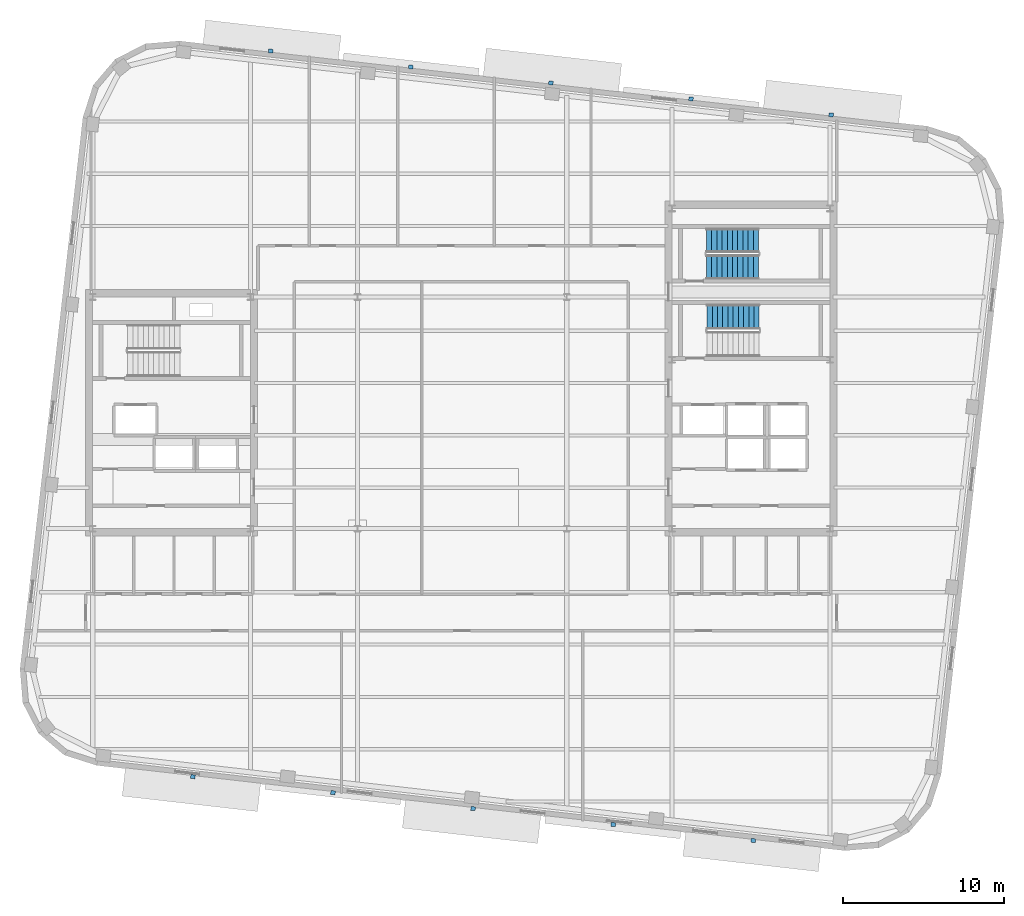
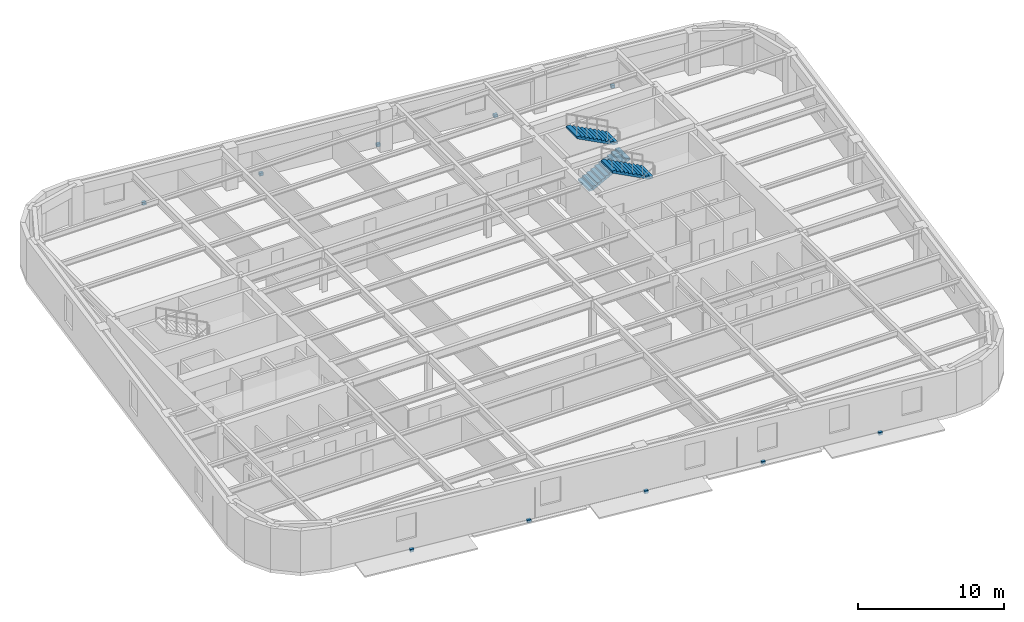
# One storey, part 9 of 13: 10 discrete accessories, 3 stair flights, 2 elements without a shape of their own.
"""IFC4 building model written with IfcOpenShell, lengths in metres."""

from ifc_helpers import new_model, si_unit, direction, frame, origin, origin_2d, place, context, subcontext, project, spatial, polyline, rectangle, outline, extrude, material, type_object, element, aggregate, save


model = new_model("IFC4")

# Units and contexts
model_context = context("Model", 3, precision=1e-05, world=origin(), true_north=direction((0.0, 1.0)))
body_context = subcontext(model_context, "Body", "Model", "MODEL_VIEW")
ifc_project = project(units=[si_unit("LENGTHUNIT", "METRE"), si_unit("AREAUNIT", "SQUARE_METRE"), si_unit("VOLUMEUNIT", "CUBIC_METRE"), si_unit("PLANEANGLEUNIT", "RADIAN"), si_unit("MASSUNIT", "GRAM", prefix="KILO")], contexts=[model_context])

# Site, building, storey
site_placement = place(None, origin())
site = spatial("IfcSite", under=ifc_project, at=site_placement, CompositionType="ELEMENT")
building_placement = place(site_placement, origin())
building = spatial("IfcBuilding", under=site, at=building_placement, Name="Kolvaren Arena Tower", CompositionType="ELEMENT")
storey_placement = place(building_placement, frame((0.0, 0.0, 254.699951171875)))
storey = spatial("IfcBuildingStorey", under=building, at=storey_placement, Name="L62", CompositionType="ELEMENT", Elevation=254.699951171875)

# Stair, stair flights
ifc_material_1 = material(Name="Concrete 45 MPa", Category="concrete")
stair_type_1 = type_object("IfcStairType", Name="STAIR-CORE-150", PredefinedType="HALF_TURN_STAIR", material=ifc_material_1)
stair_1_placement = place(storey_placement, origin())
stair_1 = element("IfcStair", 1, at=stair_1_placement, inside=storey, type_object=stair_type_1, Name="L62 ST-E2", PredefinedType="HALF_TURN_STAIR")
stair_flight_type_1 = type_object("IfcStairFlightType", Name="FLT-150", PredefinedType="STRAIGHT", material=ifc_material_1)
stair_flight_1_placement = place(storey_placement, frame((52.679931640625, 35.699951171875, 0.0), z_axis=(0.0, 0.0, 1.0), x_axis=(1.0, 0.0, 0.0)))
stair_flight_1 = element("IfcStairFlight", 2, at=stair_flight_1_placement, type_object=stair_flight_type_1, Name="ST-E2 flight 1", NumberOfRisers=11, NumberOfTreads=10, PredefinedType="STRAIGHT", RiserHeight=0.170454545, TreadLength=0.324, context=body_context, shape_type="SweptSolid", body=[
    extrude(outline(polyline([(0.0, 0.0), (0.0, 0.17041015625), (0.323974609375, 0.17041015625), (0.323974609375, 0.3408203125), (0.64794921875, 0.3408203125), (0.64794921875, 0.511474609375), (0.971923828125, 0.511474609375), (0.971923828125, 0.681884765625), (1.2958984375, 0.681884765625), (1.2958984375, 0.852294921875), (1.6201171875, 0.852294921875), (1.6201171875, 1.022705078125), (1.944091796875, 1.022705078125), (1.944091796875, 1.193115234375), (2.26806640625, 1.193115234375), (2.26806640625, 1.363525390625), (2.592041015625, 1.363525390625), (2.592041015625, 1.5341796875), (2.916015625, 1.5341796875), (2.916015625, 1.70458984375), (3.239990234375, 1.70458984375), (3.239990234375, 1.875), (3.239990234375, 1.53515625), (0.322021484375, 0.0), (0.0, 0.0)])), frame((0.0, 0.75, 0.0), z_axis=(0.0, -1.0, 0.0), x_axis=(1.0, 0.0, 0.0)), (0.0, 0.0, 1.0), 1.5),
])
stair_flight_2_placement = place(storey_placement, frame((55.919921875, 37.35009765625, 1.875), z_axis=(0.0, 0.0, 1.0), x_axis=(-1.0, 0.0, 0.0)))
stair_flight_2 = element("IfcStairFlight", 3, at=stair_flight_2_placement, type_object=stair_flight_type_1, Name="ST-E2 flight 2", NumberOfRisers=11, NumberOfTreads=10, PredefinedType="STRAIGHT", RiserHeight=0.170454545, TreadLength=0.324, context=body_context, shape_type="SweptSolid", body=[
    extrude(outline(polyline([(0.0, 0.0), (0.0, 0.17041015625), (0.323974609375, 0.17041015625), (0.323974609375, 0.3408203125), (0.64794921875, 0.3408203125), (0.64794921875, 0.511474609375), (0.971923828125, 0.511474609375), (0.971923828125, 0.681884765625), (1.2958984375, 0.681884765625), (1.2958984375, 0.852294921875), (1.6201171875, 0.852294921875), (1.6201171875, 1.022705078125), (1.944091796875, 1.022705078125), (1.944091796875, 1.193115234375), (2.26806640625, 1.193115234375), (2.26806640625, 1.363525390625), (2.592041015625, 1.363525390625), (2.592041015625, 1.5341796875), (2.916015625, 1.5341796875), (2.916015625, 1.70458984375), (3.239990234375, 1.70458984375), (3.239990234375, 1.875), (3.239990234375, 1.53515625), (0.322021484375, 0.0), (0.0, 0.0)])), frame((0.0, 0.75, 0.0), z_axis=(0.0, -1.0, 0.0), x_axis=(1.0, 0.0, 0.0)), (0.0, 0.0, 1.0), 1.5),
])
aggregate(stair_1, [stair_flight_1, stair_flight_2])

# Stair, stair flight
stair_type_2 = type_object("IfcStairType", Name="STAIR-CORE-165", PredefinedType="HALF_TURN_STAIR", material=ifc_material_1)
stair_2_placement = place(storey_placement, origin())
stair_2 = element("IfcStair", 4, at=stair_2_placement, inside=storey, type_object=stair_type_2, Name="L62 ST-E1", PredefinedType="HALF_TURN_STAIR")
stair_flight_type_2 = type_object("IfcStairFlightType", Name="FLT-165", PredefinedType="STRAIGHT", material=ifc_material_1)
stair_flight_3_placement = place(storey_placement, frame((55.9599609375, 32.610107421875, 1.875), z_axis=(0.0, 0.0, 1.0), x_axis=(-1.0, 0.0, 0.0)))
stair_flight_3 = element("IfcStairFlight", 5, at=stair_flight_3_placement, type_object=stair_flight_type_2, Name="ST-E1 flight 2", NumberOfRisers=11, NumberOfTreads=10, PredefinedType="STRAIGHT", RiserHeight=0.170454545, TreadLength=0.324, context=body_context, shape_type="SweptSolid", body=[
    extrude(outline(polyline([(0.0, 0.0), (0.0, 0.17041015625), (0.323974609375, 0.17041015625), (0.323974609375, 0.3408203125), (0.64794921875, 0.3408203125), (0.64794921875, 0.511474609375), (0.971923828125, 0.511474609375), (0.971923828125, 0.681884765625), (1.2958984375, 0.681884765625), (1.2958984375, 0.852294921875), (1.6201171875, 0.852294921875), (1.6201171875, 1.022705078125), (1.944091796875, 1.022705078125), (1.944091796875, 1.193115234375), (2.26806640625, 1.193115234375), (2.26806640625, 1.363525390625), (2.592041015625, 1.363525390625), (2.592041015625, 1.5341796875), (2.916015625, 1.5341796875), (2.916015625, 1.70458984375), (3.239990234375, 1.70458984375), (3.239990234375, 1.875), (3.239990234375, 1.53515625), (0.322021484375, 0.0), (0.0, 0.0)])), frame((0.0, 0.77001953125, 0.0), z_axis=(0.0, -1.0, 0.0), x_axis=(1.0, 0.0, 0.0)), (0.0, 0.0, 1.0), 1.5400390625),
])
aggregate(stair_2, [stair_flight_3])

# Discrete accessories
ifc_material_2 = material(Name="Stainless steel facade support bracket", Category="steel")
discrete_accessory_type = type_object("IfcDiscreteAccessoryType", Name="ACC-BRKT-1", PredefinedType="BRACKET", material=ifc_material_2)
for number, where, z_axis, x_axis, name in (
    (6, (25.60986328125, 49.12451171875, -0.18017578125), (0.0, 0.0, 1.0), (0.993571658098, -0.113204947878, 0.0), "Sunshade Support Bracket (L62)"),
    (7, (34.313720703125, 48.1328125, -0.18017578125), (0.0, 0.0, 1.0), (0.993571658098, -0.113204947878, 0.0), "Sunshade Support Bracket (L62)"),
    (8, (43.017333984375, 47.141357421875, -0.18017578125), (0.0, 0.0, 1.0), (0.993571658098, -0.113204947878, 0.0), "Sunshade Support Bracket (L62)"),
    (9, (51.720947265625, 46.149658203125, -0.18017578125), (0.0, 0.0, 1.0), (0.993571658098, -0.113204947878, 0.0), "Sunshade Support Bracket (L62)"),
    (10, (60.424560546875, 45.157958984375, -0.18017578125), (0.0, 0.0, 1.0), (0.993571658098, -0.113204947878, 0.0), "Sunshade Support Bracket (L62)"),
    (11, (55.590087890625, 0.075439453125, -0.18017578125), (0.0, 0.0, 1.0), (-0.993571658098, 0.113204947878, 0.0), "Sunshade Support Bracket (L62)"),
    (12, (46.886474609375, 1.067138671875, -0.18017578125), (0.0, 0.0, 1.0), (-0.993571658098, 0.113204947878, 0.0), "Sunshade Support Bracket (L62)"),
    (13, (38.1826171875, 2.05859375, -0.18017578125), (0.0, 0.0, 1.0), (-0.993571658098, 0.113204947878, 0.0), "Sunshade Support Bracket (L62)"),
    (14, (29.47900390625, 3.05029296875, -0.18017578125), (0.0, 0.0, 1.0), (-0.993571658098, 0.113204947878, 0.0), "Sunshade Support Bracket (L62)"),
    (15, (20.775390625, 4.0419921875, -0.18017578125), (0.0, 0.0, 1.0), (-0.993571658098, 0.113204947878, 0.0), "Sunshade Support Bracket (L62)"),
):
    element("IfcDiscreteAccessory", number, at=place(storey_placement, frame(where, z_axis=z_axis, x_axis=x_axis)), inside=storey, type_object=discrete_accessory_type, Name=name, PredefinedType="BRACKET", context=body_context, shape_type="SweptSolid", body=[
        extrude(rectangle(XDim=0.280029296875, YDim=0.239990234375, at=origin_2d()), origin(), (0.0, 0.0, 1.0), 0.239990234375),
    ])

save(model, "model.ifc")
